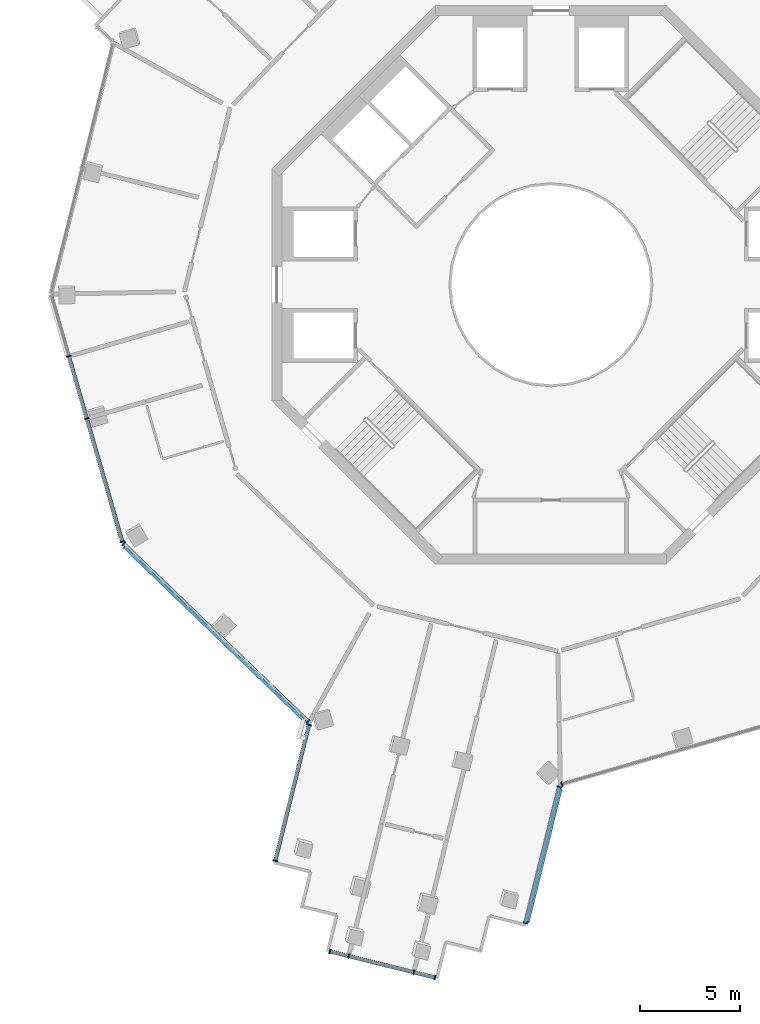
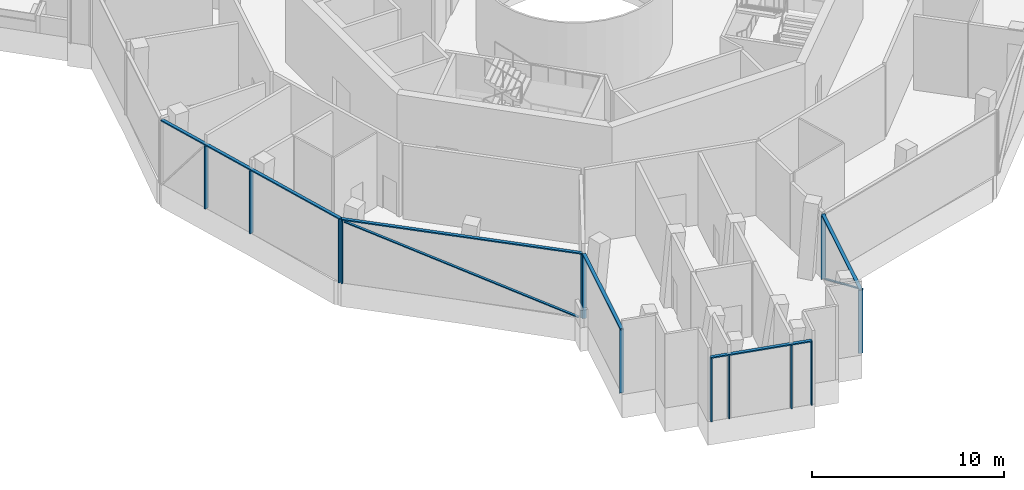
# One storey, part 2 of 17: 21 members, 6 elements without a shape of their own.
"""IFC4 building model written with IfcOpenShell, lengths in metres."""

from ifc_helpers import new_model, si_unit, direction, frame, origin, origin_2d, place, context, subcontext, project, spatial, rectangle, extrude, material, layer, layer_set, material_profile, profile_set, type_object, element, aggregate, save


model = new_model("IFC4")

# Units and contexts
model_context = context("Model", 3, precision=1e-05, world=origin(), true_north=direction((0.0, 1.0)))
body_context = subcontext(model_context, "Body", "Model", "MODEL_VIEW")
ifc_project = project(units=[si_unit("LENGTHUNIT", "METRE"), si_unit("AREAUNIT", "SQUARE_METRE"), si_unit("VOLUMEUNIT", "CUBIC_METRE"), si_unit("PLANEANGLEUNIT", "RADIAN"), si_unit("MASSUNIT", "GRAM", prefix="KILO")], contexts=[model_context])

# Site, building, storey
site_placement = place(None, origin())
site = spatial("IfcSite", under=ifc_project, at=site_placement, CompositionType="ELEMENT")
building_placement = place(site_placement, origin())
building = spatial("IfcBuilding", under=site, at=building_placement, Name="Verdalira Terraces Hotel", CompositionType="ELEMENT")
storey_placement = place(building_placement, frame((0.0, 0.0, 222.0)))
storey = spatial("IfcBuildingStorey", under=building, at=storey_placement, Name="L54", CompositionType="ELEMENT", Elevation=222.0)

# Curtain wall, members
ifc_material_1 = material(Name="Clear glass", Category="glass")
ifc_layer = layer(ifc_material_1, 0.239990234375)
ifc_layer_set = layer_set([ifc_layer], Name="CW5 curtain wall")
curtain_wall_type = type_object("IfcCurtainWallType", Name="CW5 curtain wall", PredefinedType="NOTDEFINED", material=ifc_layer_set)
curtain_wall_1_placement = place(storey_placement, origin())
curtain_wall_1 = element("IfcCurtainWall", 1, at=curtain_wall_1_placement, inside=storey, type_object=curtain_wall_type, Name="CW5 curtain wall L54 edge 12", PredefinedType="NOTDEFINED")
ifc_material_2 = material(Name="Terracotta frame", Category="masonry")
ifc_material_profile_1 = material_profile(ifc_material_2, rectangle(XDim=0.070068, YDim=0.23999, at=origin_2d()), Name="MU 70x240")
ifc_profile_set_1 = profile_set([ifc_material_profile_1], Name="Terracotta frame")
member_type_1 = type_object("IfcMemberType", Name="CW5 mullion 70x240", PredefinedType="MULLION", material=ifc_profile_set_1)
member_1_placement = place(storey_placement, frame((-24.180664, -3.587891, 0.0), z_axis=(0.0, 0.0, 1.0), x_axis=(0.276979261, -0.960875897, 0.0)))
member_1 = element("IfcMember", 2, at=member_1_placement, type_object=member_type_1, Name="CW5 mullion", PredefinedType="MULLION", context=body_context, shape_type="SweptSolid", body=[
    extrude(rectangle(XDim=0.070068, YDim=0.23999, at=origin_2d()), origin(), (0.0, 0.0, 1.0), 4.014893),
])
member_2_placement = place(storey_placement, frame((-23.280518, -6.710693, 0.0), z_axis=(0.0, 0.0, 1.0), x_axis=(0.276979261, -0.960875897, 0.0)))
member_2 = element("IfcMember", 3, at=member_2_placement, type_object=member_type_1, Name="CW5 mullion", PredefinedType="MULLION", context=body_context, shape_type="SweptSolid", body=[
    extrude(rectangle(XDim=0.070068, YDim=0.23999, at=origin_2d()), origin(), (0.0, 0.0, 1.0), 4.014893),
])
member_3_placement = place(storey_placement, frame((-21.500977, -12.884277, 0.0), z_axis=(0.0, 0.0, 1.0), x_axis=(0.276979261, -0.960875897, 0.0)))
member_3 = element("IfcMember", 4, at=member_3_placement, type_object=member_type_1, Name="CW5 mullion", PredefinedType="MULLION", context=body_context, shape_type="SweptSolid", body=[
    extrude(rectangle(XDim=0.070068, YDim=0.23999, at=origin_2d()), origin(), (0.0, 0.0, 1.0), 4.014893),
])

curtain_wall_2_placement = place(storey_placement, origin())
curtain_wall_2 = element("IfcCurtainWall", 5, at=curtain_wall_2_placement, inside=storey, type_object=curtain_wall_type, Name="CW5 curtain wall L54 edge 13", PredefinedType="NOTDEFINED")
member_4_placement = place(storey_placement, frame((-21.433838, -12.995361, 0.0), z_axis=(0.0, 0.0, 1.0), x_axis=(0.720309025, -0.693653306, 0.0)))
member_4 = element("IfcMember", 6, at=member_4_placement, type_object=member_type_1, Name="CW5 mullion", PredefinedType="MULLION", context=body_context, shape_type="SweptSolid", body=[
    extrude(rectangle(XDim=0.070068, YDim=0.23999, at=origin_2d()), origin(), (0.0, 0.0, 1.0), 4.014893),
])
member_5_placement = place(storey_placement, frame((-12.186768, -21.900391, 0.0), z_axis=(0.0, 0.0, 1.0), x_axis=(0.720309025, -0.693653306, 0.0)))
member_5 = element("IfcMember", 7, at=member_5_placement, type_object=member_type_1, Name="CW5 mullion", PredefinedType="MULLION", context=body_context, shape_type="SweptSolid", body=[
    extrude(rectangle(XDim=0.070068, YDim=0.23999, at=origin_2d()), origin(), (0.0, 0.0, 1.0), 4.014893),
])

curtain_wall_3_placement = place(storey_placement, origin())
curtain_wall_3 = element("IfcCurtainWall", 8, at=curtain_wall_3_placement, inside=storey, type_object=curtain_wall_type, Name="CW5 curtain wall L54 edge 14", PredefinedType="NOTDEFINED")
member_6_placement = place(storey_placement, frame((-12.136719, -22.073975, 0.0), z_axis=(0.0, 0.0, 1.0), x_axis=(-0.240566872, -0.970632567, 0.0)))
member_6 = element("IfcMember", 9, at=member_6_placement, type_object=member_type_1, Name="CW5 mullion", PredefinedType="MULLION", context=body_context, shape_type="SweptSolid", body=[
    extrude(rectangle(XDim=0.070068, YDim=0.23999, at=origin_2d()), origin(), (0.0, 0.0, 1.0), 4.014893),
])
member_7_placement = place(storey_placement, frame((-13.826904, -28.894043, 0.0), z_axis=(0.0, 0.0, 1.0), x_axis=(-0.240566872, -0.970632567, 0.0)))
member_7 = element("IfcMember", 10, at=member_7_placement, type_object=member_type_1, Name="CW5 mullion", PredefinedType="MULLION", context=body_context, shape_type="SweptSolid", body=[
    extrude(rectangle(XDim=0.070068, YDim=0.23999, at=origin_2d()), origin(), (0.0, 0.0, 1.0), 4.014893),
])

curtain_wall_4_placement = place(storey_placement, origin())
curtain_wall_4 = element("IfcCurtainWall", 11, at=curtain_wall_4_placement, inside=storey, type_object=curtain_wall_type, Name="CW5 curtain wall L54 edge 19", PredefinedType="NOTDEFINED")
member_8_placement = place(storey_placement, frame((-11.085693, -33.442139, 0.0), z_axis=(0.0, 0.0, 1.0), x_axis=(0.970632567, -0.240566872, 0.0)))
member_8 = element("IfcMember", 12, at=member_8_placement, type_object=member_type_1, Name="CW5 mullion", PredefinedType="MULLION", context=body_context, shape_type="SweptSolid", body=[
    extrude(rectangle(XDim=0.070068, YDim=0.23999, at=origin_2d()), origin(), (0.0, 0.0, 1.0), 4.014893),
])
member_9_placement = place(storey_placement, frame((-10.143066, -33.675781, 0.0), z_axis=(0.0, 0.0, 1.0), x_axis=(0.970632567, -0.240566872, 0.0)))
member_9 = element("IfcMember", 13, at=member_9_placement, type_object=member_type_1, Name="CW5 mullion", PredefinedType="MULLION", context=body_context, shape_type="SweptSolid", body=[
    extrude(rectangle(XDim=0.070068, YDim=0.23999, at=origin_2d()), origin(), (0.0, 0.0, 1.0), 4.014893),
])
member_10_placement = place(storey_placement, frame((-6.876953, -34.485107, 0.0), z_axis=(0.0, 0.0, 1.0), x_axis=(0.970632567, -0.240566872, 0.0)))
member_10 = element("IfcMember", 14, at=member_10_placement, type_object=member_type_1, Name="CW5 mullion", PredefinedType="MULLION", context=body_context, shape_type="SweptSolid", body=[
    extrude(rectangle(XDim=0.070068, YDim=0.23999, at=origin_2d()), origin(), (0.0, 0.0, 1.0), 4.014893),
])
member_11_placement = place(storey_placement, frame((-5.815186, -34.748291, 0.0), z_axis=(0.0, 0.0, 1.0), x_axis=(0.970632567, -0.240566872, 0.0)))
member_11 = element("IfcMember", 15, at=member_11_placement, type_object=member_type_1, Name="CW5 mullion", PredefinedType="MULLION", context=body_context, shape_type="SweptSolid", body=[
    extrude(rectangle(XDim=0.070068, YDim=0.23999, at=origin_2d()), origin(), (0.0, 0.0, 1.0), 4.014893),
])

curtain_wall_5_placement = place(storey_placement, origin())
curtain_wall_5 = element("IfcCurtainWall", 16, at=curtain_wall_5_placement, inside=storey, type_object=curtain_wall_type, Name="CW5 curtain wall L54 edge 24", PredefinedType="NOTDEFINED")
member_12_placement = place(storey_placement, frame((-1.26709, -32.006836, 0.0), z_axis=(0.0, 0.0, 1.0), x_axis=(0.240566872, 0.970632567, 0.0)))
member_12 = element("IfcMember", 17, at=member_12_placement, type_object=member_type_1, Name="CW5 mullion", PredefinedType="MULLION", context=body_context, shape_type="SweptSolid", body=[
    extrude(rectangle(XDim=0.070068, YDim=0.23999, at=origin_2d()), origin(), (0.0, 0.0, 1.0), 4.014893),
])
member_13_placement = place(storey_placement, frame((0.42334, -25.186768, 0.0), z_axis=(0.0, 0.0, 1.0), x_axis=(0.240566872, 0.970632567, 0.0)))
member_13 = element("IfcMember", 18, at=member_13_placement, type_object=member_type_1, Name="CW5 mullion", PredefinedType="MULLION", context=body_context, shape_type="SweptSolid", body=[
    extrude(rectangle(XDim=0.070068, YDim=0.23999, at=origin_2d()), origin(), (0.0, 0.0, 1.0), 4.014893),
])

# Curtain wall, member
curtain_wall_6_placement = place(storey_placement, origin())
curtain_wall_6 = element("IfcCurtainWall", 19, at=curtain_wall_6_placement, inside=storey, type_object=curtain_wall_type, Name="CW5 curtain wall L54 edge 25", PredefinedType="NOTDEFINED")
member_14_placement = place(storey_placement, frame((0.548584, -25.056641, 0.0), z_axis=(0.0, 0.0, 1.0), x_axis=(0.960875897, 0.276979261, 0.0)))
member_14 = element("IfcMember", 20, at=member_14_placement, type_object=member_type_1, Name="CW5 mullion", PredefinedType="MULLION", context=body_context, shape_type="SweptSolid", body=[
    extrude(rectangle(XDim=0.070068, YDim=0.23999, at=origin_2d()), origin(), (0.0, 0.0, 1.0), 4.014893),
])
aggregate(curtain_wall_6, [member_14])

# Member
ifc_material_3 = material(Name="Terracotta frame", Category="masonry")
ifc_material_profile_2 = material_profile(ifc_material_3, rectangle(XDim=0.189941, YDim=0.074951, at=origin_2d()), Name="TR 75x190")
ifc_profile_set_2 = profile_set([ifc_material_profile_2], Name="Terracotta frame")
member_type_2 = type_object("IfcMemberType", Name="CW5 transom 75x190", PredefinedType="USERDEFINED", material=ifc_profile_set_2)
member_15_placement = place(storey_placement, frame((-25.06958, -0.503662, 4.05249), z_axis=(0.276974114, -0.96087738, 0.0), x_axis=(0.96087738, 0.276974114, 0.0)))
member_15 = element("IfcMember", 21, at=member_15_placement, type_object=member_type_2, Name="CW5 transom", ObjectType="TRANSOM", PredefinedType="USERDEFINED", context=body_context, shape_type="SweptSolid", body=[
    extrude(rectangle(XDim=0.189941, YDim=0.074951, at=origin_2d()), origin(), (0.0, 0.0, 1.0), 12.919434),
])

aggregate(curtain_wall_1, [member_1, member_2, member_3, member_15])

member_16_placement = place(storey_placement, frame((-21.459229, -12.970947, 4.05249), z_axis=(0.720315313, -0.693646776, 0.0), x_axis=(0.693646776, 0.720315313, 0.0)))
member_16 = element("IfcMember", 22, at=member_16_placement, type_object=member_type_2, Name="CW5 transom", ObjectType="TRANSOM", PredefinedType="USERDEFINED", context=body_context, shape_type="SweptSolid", body=[
    extrude(rectangle(XDim=0.189941, YDim=0.074951, at=origin_2d()), origin(), (0.0, 0.0, 1.0), 12.907959),
])

member_17_placement = place(storey_placement, frame((-12.128174, -22.039795, 4.05249), z_axis=(-0.240576216, -0.970630251, 0.0), x_axis=(0.970630251, -0.240576216, 0.0)))
member_17 = element("IfcMember", 23, at=member_17_placement, type_object=member_type_2, Name="CW5 transom", ObjectType="TRANSOM", PredefinedType="USERDEFINED", context=body_context, shape_type="SweptSolid", body=[
    extrude(rectangle(XDim=0.189941, YDim=0.074951, at=origin_2d()), origin(), (0.0, 0.0, 1.0), 7.09668),
])

aggregate(curtain_wall_3, [member_6, member_7, member_17])

member_18_placement = place(storey_placement, frame((-11.119629, -33.433594, 4.05249), z_axis=(0.9706288, -0.240582069, 0.0), x_axis=(0.240582069, 0.9706288, 0.0)))
member_18 = element("IfcMember", 24, at=member_18_placement, type_object=member_type_2, Name="CW5 transom", ObjectType="TRANSOM", PredefinedType="USERDEFINED", context=body_context, shape_type="SweptSolid", body=[
    extrude(rectangle(XDim=0.189941, YDim=0.074951, at=origin_2d()), origin(), (0.0, 0.0, 1.0), 5.500244),
])

aggregate(curtain_wall_4, [member_8, member_9, member_10, member_11, member_18])

member_19_placement = place(storey_placement, frame((-1.275391, -32.041016, 4.05249), z_axis=(0.240543804, 0.970638284, 0.0), x_axis=(-0.970638284, 0.240543804, 0.0)))
member_19 = element("IfcMember", 25, at=member_19_placement, type_object=member_type_2, Name="CW5 transom", ObjectType="TRANSOM", PredefinedType="USERDEFINED", context=body_context, shape_type="SweptSolid", body=[
    extrude(rectangle(XDim=0.189941, YDim=0.074951, at=origin_2d()), origin(), (0.0, 0.0, 1.0), 7.096436),
])

ifc_material_4 = material(Name="Terracotta frame", Category="masonry")
ifc_material_profile_3 = material_profile(ifc_material_4, rectangle(XDim=0.149902, YDim=0.060059, at=origin_2d()), Name="GB 60x150")
ifc_profile_set_3 = profile_set([ifc_material_profile_3], Name="Terracotta frame")
member_type_3 = type_object("IfcMemberType", Name="Diagonal glazing bar 60x150", PredefinedType="USERDEFINED", material=ifc_profile_set_3)
member_20_placement = place(storey_placement, frame((-21.408936, -13.153809, 3.98584), z_axis=(0.687128779, -0.661713843, -0.299981385), x_axis=(0.693660331, 0.720302259, 0.0)))
member_20 = element("IfcMember", 26, at=member_20_placement, type_object=member_type_3, Name="Diagonal glazing bar", ObjectType="GLAZING BAR", PredefinedType="USERDEFINED", context=body_context, shape_type="SweptSolid", body=[
    extrude(rectangle(XDim=0.149902, YDim=0.060059, at=origin_2d()), origin(), (0.0, 0.0, 1.0), 13.189209),
])

aggregate(curtain_wall_2, [member_4, member_5, member_16, member_20])

member_21_placement = place(storey_placement, frame((-1.15332, -31.950928, 3.988037), z_axis=(0.20837089, 0.84066239, -0.499868302), x_axis=(-0.970628109, 0.24058486, 0.0)))
member_21 = element("IfcMember", 27, at=member_21_placement, type_object=member_type_3, Name="Diagonal glazing bar", ObjectType="GLAZING BAR", PredefinedType="USERDEFINED", context=body_context, shape_type="SweptSolid", body=[
    extrude(rectangle(XDim=0.149902, YDim=0.060059, at=origin_2d()), origin(), (0.0, 0.0, 1.0), 7.924072),
])

aggregate(curtain_wall_5, [member_12, member_13, member_19, member_21])

save(model, "model.ifc")
